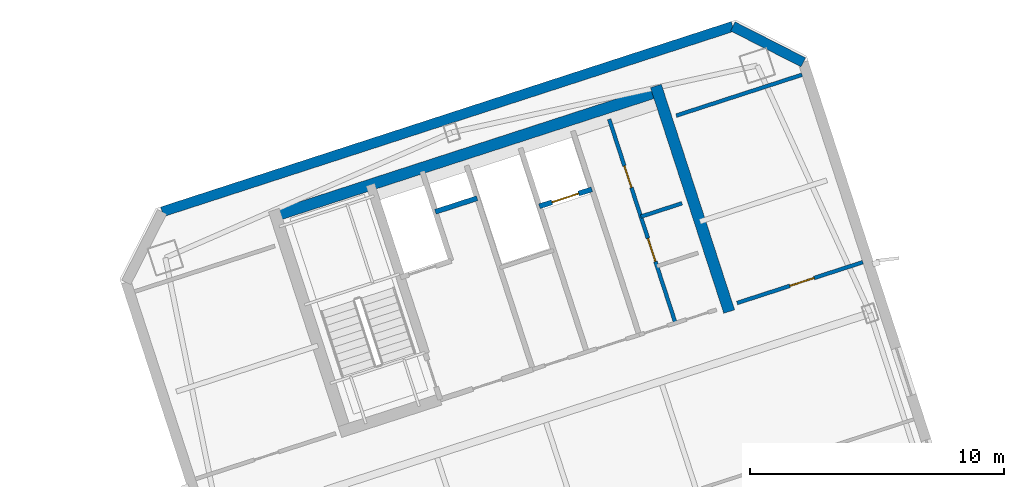
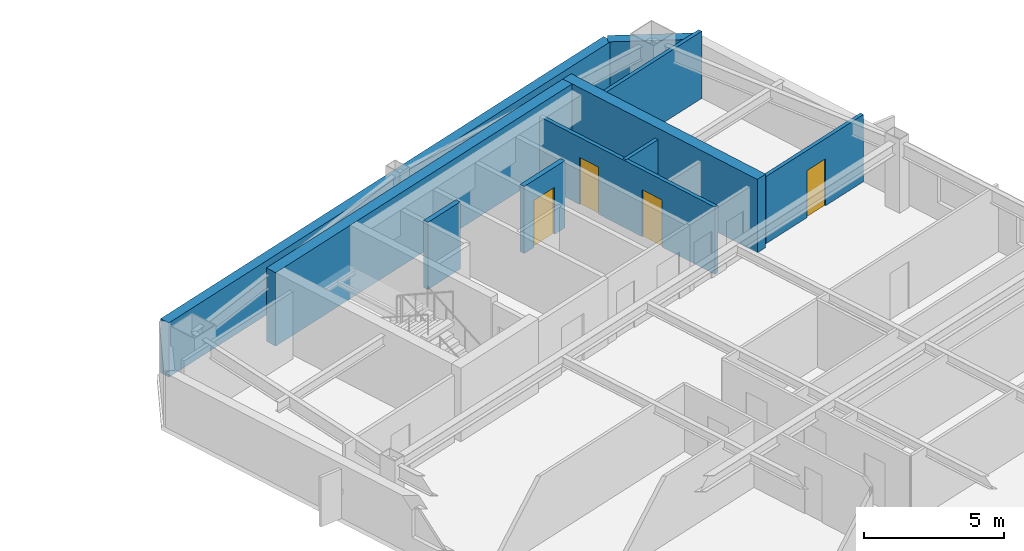
# One storey, part 11 of 18: 10 walls, 4 doors, 4 openings.
"""IFC4 building model written with IfcOpenShell, lengths in metres."""

from ifc_helpers import new_model, si_unit, direction, frame, frame_2d, origin, place, context, subcontext, project, spatial, rectangle, extrude, material, layer, layer_set, type_object, element, fill, save


model = new_model("IFC4")

# Units and contexts
model_context = context("Model", 3, precision=1e-05, world=origin(), true_north=direction((0.0, 1.0)))
body_context = subcontext(model_context, "Body", "Model", "MODEL_VIEW")
ifc_project = project(units=[si_unit("LENGTHUNIT", "METRE"), si_unit("AREAUNIT", "SQUARE_METRE"), si_unit("VOLUMEUNIT", "CUBIC_METRE"), si_unit("PLANEANGLEUNIT", "RADIAN"), si_unit("MASSUNIT", "GRAM", prefix="KILO")], contexts=[model_context])

# Site, building, storey
site_placement = place(None, origin())
site = spatial("IfcSite", under=ifc_project, at=site_placement, CompositionType="ELEMENT")
building_placement = place(site_placement, origin())
building = spatial("IfcBuilding", under=site, at=building_placement, Name="Qiaolan Cultural Towers", CompositionType="ELEMENT")
storey_placement = place(building_placement, frame((0.0, 0.0, 237.60009765625)))
storey = spatial("IfcBuildingStorey", under=building, at=storey_placement, Name="L64", CompositionType="ELEMENT", Elevation=237.60009765625)

# Walls
ifc_material_1 = material(Name="Concrete C50", Category="concrete")
ifc_layer_1 = layer(ifc_material_1, 0.449951171875)
ifc_layer_set_1 = layer_set([ifc_layer_1], Name="Concrete C50")
wall_type_1 = type_object("IfcWallType", Name="WL-CORE-450", PredefinedType="SHEAR", material=ifc_layer_set_1)
wall_1_placement = place(storey_placement, frame((76.414794921875, 50.489013671875, 0.0), z_axis=(0.0, 0.0, 1.0), x_axis=(0.951056810414, 0.309016089169, 0.0)))
element("IfcWall", 1, at=wall_1_placement, inside=storey, type_object=wall_type_1, Name="L64 T2-CN Outer Core Shear Wall", PredefinedType="SHEAR", context=body_context, shape_type="SweptSolid", body=[
    extrude(rectangle(XDim=16.25, YDim=0.449951171875, at=frame_2d((8.125, 0.0))), origin(), (0.0, 0.0, 1.0), 3.199951171875),
])
wall_2_placement = place(storey_placement, frame((94.468994140625, 46.781494140625, 0.0), z_axis=(0.0, 0.0, 1.0), x_axis=(-0.309004419953, 0.951060601881, 0.0)))
element("IfcWall", 2, at=wall_2_placement, inside=storey, type_object=wall_type_1, Name="L64 T2-CN East Core Shear Wall", PredefinedType="SHEAR", context=body_context, shape_type="SweptSolid", body=[
    extrude(rectangle(XDim=9.330078125, YDim=0.449951171875, at=frame_2d((4.6650390625, 0.0))), origin(), (0.0, 0.0, 1.0), 3.199951171875),
])
ifc_material_2 = material(Name="Precast Concrete C50 Honed Stone Pier", Category="masonry")
ifc_layer_2 = layer(ifc_material_2, 0.39990234375)
ifc_layer_set_2 = layer_set([ifc_layer_2], Name="Precast Concrete C50 Honed Stone Pier")
wall_type_2 = type_object("IfcWallType", Name="WL-EXT-PIER-400", PredefinedType="SOLIDWALL", material=ifc_layer_set_2)
wall_3_placement = place(storey_placement, frame((72.16455078125, 50.706298828125, 0.0), z_axis=(0.0, 0.0, 1.0), x_axis=(0.951058012937, 0.309012388148, 0.0)))
element("IfcWall", 3, at=wall_3_placement, inside=storey, type_object=wall_type_2, Name="L64 East Tower Precast Pier Facade Wall F3", PredefinedType="SOLIDWALL", context=body_context, shape_type="SweptSolid", body=[
    extrude(rectangle(XDim=23.60009765625, YDim=0.39990234375, at=frame_2d((11.800048828125, 0.0))), origin(), (0.0, 0.0, 1.0), 2.35986328125),
])
wall_4_placement = place(storey_placement, frame((94.609619140625, 57.9990234375, 0.0), z_axis=(0.0, 0.0, 1.0), x_axis=(0.890979603174, -0.454043331334, 0.0)))
element("IfcWall", 4, at=wall_4_placement, inside=storey, type_object=wall_type_2, Name="L64 East Tower Precast Pier Facade Wall F4", PredefinedType="SOLIDWALL", context=body_context, shape_type="SweptSolid", body=[
    extrude(rectangle(XDim=3.111083984375, YDim=0.39990234375, at=frame_2d((1.5556640625, 0.0))), origin(), (0.0, 0.0, 1.0), 2.35986328125),
])
ifc_material_3 = material(Name="Concrete C35 Fire Wall", Category="concrete")
ifc_layer_3 = layer(ifc_material_3, 0.199951171875)
ifc_layer_set_3 = layer_set([ifc_layer_3], Name="Concrete C35 Fire Wall")
wall_type_3 = type_object("IfcWallType", Name="WL-FIRE-200", PredefinedType="PARTITIONING", material=ifc_layer_set_3)
wall_5_placement = place(storey_placement, frame((82.910400390625, 50.706787109375, 0.0), z_axis=(0.0, 0.0, 1.0), x_axis=(0.951041328149, 0.309063734775, 0.0)))
element("IfcWall", 5, at=wall_5_placement, inside=storey, type_object=wall_type_3, Name="L64 T2-CN Pressurization Shaft Front Wall", PredefinedType="PARTITIONING", context=body_context, shape_type="SweptSolid", body=[
    extrude(rectangle(XDim=1.72998046875, YDim=0.199951171875, at=frame_2d((0.864990234375, 0.0))), origin(), (0.0, 0.0, 1.0), 2.9248046875),
])

# Wall, opening, door
wall_6_placement = place(storey_placement, frame((87.004150390625, 50.92236328125, 0.0), z_axis=(0.0, 0.0, 1.0), x_axis=(0.951041509718, 0.309063176055, 0.0)))
wall_6 = element("IfcWall", 6, at=wall_6_placement, inside=storey, type_object=wall_type_3, Name="L64 T2-CN Shuttle Lift Shaft Front", PredefinedType="PARTITIONING", context=body_context, shape_type="SweptSolid", body=[
    extrude(rectangle(XDim=2.169921875, YDim=0.199951171875, at=frame_2d((1.0849609375, 0.0))), origin(), (0.0, 0.0, 1.0), 2.9248046875),
])
opening_1_placement = place(wall_6_placement, frame((0.52001953125, 0.0, 0.0)))
opening_1 = element("IfcOpeningElement", 7, at=opening_1_placement, cuts=wall_6, Name="Opening LD-01", PredefinedType="OPENING", context=body_context, shape_type="SweptSolid", body=[
    extrude(rectangle(XDim=1.10009765625, YDim=2.050048828125, at=frame_2d((0.550048828125, 1.02490234375))), frame((0.0, 0.10986328125, 0.0), z_axis=(0.0, -1.0, 0.0), x_axis=(1.0, 0.0, 0.0)), (0.0, 0.0, 1.0), 0.219970703125),
])
ifc_material_4 = material(Name="Brushed Stainless Steel S30408 Centre-Parting Lift Landing Door", Category="steel")
door_type_1 = type_object("IfcDoorType", Name="DR-LIFT-1100", OperationType="NOTDEFINED", PredefinedType="DOOR", material=ifc_material_4)
door_1_placement = place(opening_1_placement, origin())
door_1 = element("IfcDoor", 8, at=door_1_placement, inside=storey, type_object=door_type_1, Name="L64 Sky Shuttle Lift Landing Door", OperationType="DOUBLE_DOOR_SLIDING", OverallHeight=2.050048828125, OverallWidth=1.10009765625, PredefinedType="DOOR", context=body_context, shape_type="SweptSolid", body=[
    extrude(rectangle(XDim=1.10009765625, YDim=2.050048828125, at=frame_2d((0.550048828125, 1.02490234375))), frame((0.0, 0.02490234375, 0.0), z_axis=(0.0, -1.0, 0.0), x_axis=(1.0, 0.0, 0.0)), (0.0, 0.0, 1.0), 0.050048828125),
])
fill(opening_1, door_1)

# Wall, openings, doors
ifc_material_5 = material(Name="Autoclaved Aerated Concrete Block B06", Category="concrete")
ifc_layer_4 = layer(ifc_material_5, 0.14990234375)
ifc_layer_set_4 = layer_set([ifc_layer_4], Name="Autoclaved Aerated Concrete Block B06")
wall_type_4 = type_object("IfcWallType", Name="WL-PART-150", PredefinedType="PARTITIONING", material=ifc_layer_set_4)
wall_7_placement = place(storey_placement, frame((92.354736328125, 46.3310546875, 0.0), z_axis=(0.0, 0.0, 1.0), x_axis=(-0.309007490203, 0.951059604335, 0.0)))
wall_7 = element("IfcWall", 9, at=wall_7_placement, inside=storey, type_object=wall_type_4, Name="L64 T2-CN Sanitary Corridor Wall", PredefinedType="PARTITIONING", context=body_context, shape_type="SweptSolid", body=[
    extrude(rectangle(XDim=8.43017578125, YDim=0.14990234375, at=frame_2d((4.215087890625, 0.0))), origin(), (0.0, 0.0, 1.0), 2.9248046875),
])
opening_2_placement = place(wall_7_placement, frame((2.550048828125, 0.0, 0.0)))
opening_2 = element("IfcOpeningElement", 10, at=opening_2_placement, cuts=wall_7, Name="Opening ID-05", PredefinedType="OPENING", context=body_context, shape_type="SweptSolid", body=[
    extrude(rectangle(XDim=0.949951171875, YDim=2.050048828125, at=frame_2d((0.47509765625, 1.02490234375))), frame((0.0, 0.0849609375, 0.0), z_axis=(0.0, -1.0, 0.0), x_axis=(1.0, 0.0, 0.0)), (0.0, 0.0, 1.0), 0.169921875),
])
opening_3_placement = place(wall_7_placement, frame((5.60009765625, 0.0, 0.0)))
opening_3 = element("IfcOpeningElement", 11, at=opening_3_placement, cuts=wall_7, Name="Opening ID-06", PredefinedType="OPENING", context=body_context, shape_type="SweptSolid", body=[
    extrude(rectangle(XDim=0.89990234375, YDim=2.050048828125, at=frame_2d((0.449951171875, 1.02490234375))), frame((0.0, 0.0849609375, 0.0), z_axis=(0.0, -1.0, 0.0), x_axis=(1.0, 0.0, 0.0)), (0.0, 0.0, 1.0), 0.169921875),
])
ifc_material_6 = material(Name="Fire-Rated Laminate Core Service Door", Category="timber")
door_type_2 = type_object("IfcDoorType", Name="DR-INT-900", OperationType="NOTDEFINED", PredefinedType="DOOR", material=ifc_material_6)
door_2_placement = place(opening_3_placement, origin())
door_2 = element("IfcDoor", 12, at=door_2_placement, inside=storey, type_object=door_type_2, Name="L64 Staff Restroom Door", OperationType="SINGLE_SWING_RIGHT", OverallHeight=2.050048828125, OverallWidth=0.89990234375, PredefinedType="DOOR", context=body_context, shape_type="SweptSolid", body=[
    extrude(rectangle(XDim=0.89990234375, YDim=2.050048828125, at=frame_2d((0.449951171875, 1.02490234375))), frame((0.0, 0.02490234375, 0.0), z_axis=(0.0, -1.0, 0.0), x_axis=(1.0, 0.0, 0.0)), (0.0, 0.0, 1.0), 0.050048828125),
])
fill(opening_3, door_2)
ifc_material_7 = material(Name="Fire-Rated Laminate Accessible Core Door", Category="timber")
door_type_3 = type_object("IfcDoorType", Name="DR-INT-950", OperationType="NOTDEFINED", PredefinedType="DOOR", material=ifc_material_7)
door_3_placement = place(opening_2_placement, origin())
door_3 = element("IfcDoor", 13, at=door_3_placement, inside=storey, type_object=door_type_3, Name="L64 Accessible Washroom Door", OperationType="SINGLE_SWING_LEFT", OverallHeight=2.050048828125, OverallWidth=0.949951171875, PredefinedType="DOOR", context=body_context, shape_type="SweptSolid", body=[
    extrude(rectangle(XDim=0.949951171875, YDim=2.050048828125, at=frame_2d((0.47509765625, 1.02490234375))), frame((0.0, 0.02490234375, 0.0), z_axis=(0.0, -1.0, 0.0), x_axis=(1.0, 0.0, 0.0)), (0.0, 0.0, 1.0), 0.050048828125),
])
fill(opening_2, door_3)

# Walls
wall_8_placement = place(storey_placement, frame((90.9951171875, 50.515869140625, 0.0), z_axis=(0.0, 0.0, 1.0), x_axis=(0.951040401051, 0.309066587596, 0.0)))
element("IfcWall", 14, at=wall_8_placement, inside=storey, type_object=wall_type_4, Name="L64 T2-CN Restroom Split Wall", PredefinedType="PARTITIONING", context=body_context, shape_type="SweptSolid", body=[
    extrude(rectangle(XDim=1.699951171875, YDim=0.14990234375, at=frame_2d((0.85009765625, 0.0))), origin(), (0.0, 0.0, 1.0), 2.9248046875),
])
wall_9_placement = place(storey_placement, frame((92.385009765625, 54.48974609375, 0.0), z_axis=(0.0, 0.0, 1.0), x_axis=(0.951055112834, 0.309021313752, 0.0)))
element("IfcWall", 15, at=wall_9_placement, inside=storey, type_object=wall_type_4, Name="L64 T2 Flank Wall FLK-NE", PredefinedType="PARTITIONING", context=body_context, shape_type="SweptSolid", body=[
    extrude(rectangle(XDim=5.2001953125, YDim=0.14990234375, at=frame_2d((2.60009765625, 0.0))), origin(), (0.0, 0.0, 1.0), 2.9248046875),
])

# Wall, opening, door
wall_10_placement = place(storey_placement, frame((94.77978515625, 47.119140625, 0.0), z_axis=(0.0, 0.0, 1.0), x_axis=(0.951055112834, 0.309021313752, 0.0)))
wall_10 = element("IfcWall", 16, at=wall_10_placement, inside=storey, type_object=wall_type_4, Name="L64 T2 Flank Front FLK-NE", PredefinedType="PARTITIONING", context=body_context, shape_type="SweptSolid", body=[
    extrude(rectangle(XDim=5.2001953125, YDim=0.14990234375, at=frame_2d((2.60009765625, 0.0))), origin(), (0.0, 0.0, 1.0), 2.9248046875),
])
opening_4_placement = place(wall_10_placement, frame((2.18408203125, 0.0, 0.0)))
opening_4 = element("IfcOpeningElement", 17, at=opening_4_placement, cuts=wall_10, Name="Opening ID-04", PredefinedType="OPENING", context=body_context, shape_type="SweptSolid", body=[
    extrude(rectangle(XDim=1.0, YDim=2.050048828125, at=frame_2d((0.5, 1.02490234375))), frame((0.0, 0.0849609375, 0.0), z_axis=(0.0, -1.0, 0.0), x_axis=(1.0, 0.0, 0.0)), (0.0, 0.0, 1.0), 0.169921875),
])
ifc_material_8 = material(Name="Oak Veneer Acoustic Office Door", Category="timber")
door_type_4 = type_object("IfcDoorType", Name="DR-INT-1000", OperationType="NOTDEFINED", PredefinedType="DOOR", material=ifc_material_8)
door_4_placement = place(opening_4_placement, origin())
door_4 = element("IfcDoor", 18, at=door_4_placement, inside=storey, type_object=door_type_4, Name="L64 T2 Corner Studio Door", OperationType="SINGLE_SWING_LEFT", OverallHeight=2.050048828125, OverallWidth=1.0, PredefinedType="DOOR", context=body_context, shape_type="SweptSolid", body=[
    extrude(rectangle(XDim=1.0, YDim=2.050048828125, at=frame_2d((0.5, 1.02490234375))), frame((0.0, 0.02490234375, 0.0), z_axis=(0.0, -1.0, 0.0), x_axis=(1.0, 0.0, 0.0)), (0.0, 0.0, 1.0), 0.050048828125),
])
fill(opening_4, door_4)

save(model, "model.ifc")
